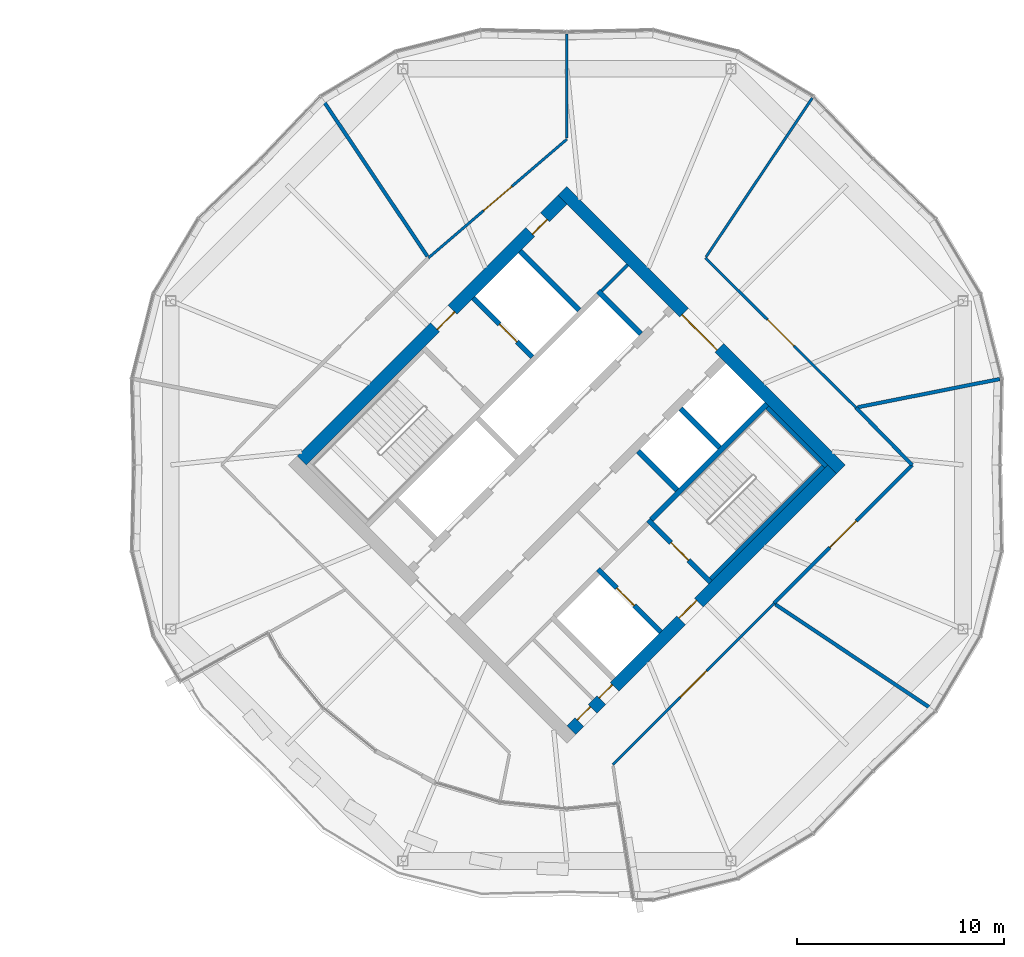
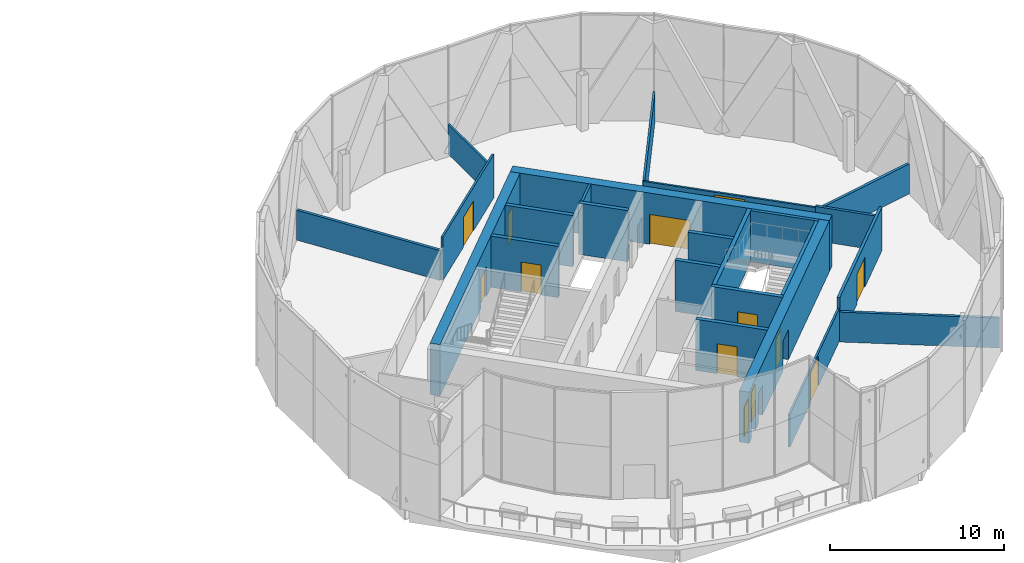
# One storey, part 21 of 26: 24 walls, 13 doors, 13 openings.
"""IFC4 building model written with IfcOpenShell, lengths in metres."""

from ifc_helpers import new_model, si_unit, direction, frame, frame_2d, origin, place, context, subcontext, project, spatial, rectangle, extrude, material, layer, layer_set, type_object, element, fill, save


model = new_model("IFC4")

# Units and contexts
model_context = context("Model", 3, precision=1e-05, world=origin(), true_north=direction((0.0, 1.0)))
body_context = subcontext(model_context, "Body", "Model", "MODEL_VIEW")
ifc_project = project(units=[si_unit("LENGTHUNIT", "METRE"), si_unit("AREAUNIT", "SQUARE_METRE"), si_unit("VOLUMEUNIT", "CUBIC_METRE"), si_unit("PLANEANGLEUNIT", "RADIAN"), si_unit("MASSUNIT", "GRAM", prefix="KILO")], contexts=[model_context])

# Site, building, storey
site_placement = place(None, origin())
site = spatial("IfcSite", under=ifc_project, at=site_placement, CompositionType="ELEMENT")
building_placement = place(site_placement, origin())
building = spatial("IfcBuilding", under=site, at=building_placement, Name="Ogive Gate Towers", CompositionType="ELEMENT")
storey_placement = place(building_placement, frame((0.0, 0.0, 208.5)))
storey = spatial("IfcBuildingStorey", under=building, at=storey_placement, Name="L50", CompositionType="ELEMENT", Elevation=208.5)

# Walls
ifc_material_1 = material(Name="Gypsum board acoustic partition")
ifc_layer_1 = layer(ifc_material_1, 0.175048828125)
ifc_layer_set_1 = layer_set([ifc_layer_1], Name="Acoustic partition 175")
wall_type_1 = type_object("IfcWallType", Name="Acoustic partition 175", PredefinedType="PARTITIONING", material=ifc_layer_set_1)
wall_1_placement = place(storey_placement, frame((56.891845703125, 4.147216796875, 0.0), z_axis=(0.0, 0.0, 1.0), x_axis=(-0.980860372201, -0.194712429613, 0.0)))
element("IfcWall", 1, at=wall_1_placement, inside=storey, type_object=wall_type_1, Name="Partition T2-L50-001", PredefinedType="PARTITIONING", context=body_context, shape_type="SweptSolid", body=[
    extrude(rectangle(XDim=6.991455078125, YDim=0.175048828125, at=frame_2d((3.49560546875, 0.0))), origin(), (0.0, 0.0, 1.0), 2.10009765625),
])
for number, where, z_axis, x_axis, name in (
    (2, (24.15966796875, 17.705078125, 0.0), (0.0, 0.0, 1.0), (0.555907142005, -0.831244398157, 0.0), "Partition T2-L50-004"),
    (3, (53.705078125, -11.84033203125, 0.0), (0.0, 0.0, 1.0), (-0.831244398157, 0.555907142005, 0.0), "Partition T2-L50-009"),
):
    element("IfcWall", number, at=place(storey_placement, frame(where, z_axis=z_axis, x_axis=x_axis)), inside=storey, type_object=wall_type_1, Name=name, PredefinedType="PARTITIONING", context=body_context, shape_type="SweptSolid", body=[
        extrude(rectangle(XDim=9.19140625, YDim=0.175048828125, at=frame_2d((4.595703125, 0.0))), origin(), (0.0, 0.0, 1.0), 2.10009765625),
    ])

# Wall, opening, door
wall_2_placement = place(storey_placement, frame((52.659423828125, 0.0, 0.0), z_axis=(0.0, 0.0, 1.0), x_axis=(-0.70631749194, -0.707895190391, 0.0)))
wall_2 = element("IfcWall", 4, at=wall_2_placement, inside=storey, type_object=wall_type_1, Name="Partition T2-L50-016", PredefinedType="PARTITIONING", context=body_context, shape_type="SweptSolid", body=[
    extrude(rectangle(XDim=9.439453125, YDim=0.175048828125, at=frame_2d((4.7197265625, 0.0))), origin(), (0.0, 0.0, 1.0), 3.050048828125),
])
opening_1_placement = place(wall_2_placement, frame((3.820068359375, 0.0, 0.0)))
opening_1 = element("IfcOpeningElement", 5, at=opening_1_placement, cuts=wall_2, Name="Opening T2-L50-D06", PredefinedType="OPENING", context=body_context, shape_type="SweptSolid", body=[
    extrude(rectangle(XDim=1.800048828125, YDim=2.10009765625, at=frame_2d((0.89990234375, 1.050048828125))), frame((0.0, 0.09765625, 0.0), z_axis=(0.0, -1.0, 0.0), x_axis=(1.0, 0.0, 0.0)), (0.0, 0.0, 1.0), 0.195068359375),
])
ifc_material_2 = material(Name="Timber door", Category="wood")
door_type_1 = type_object("IfcDoorType", Name="Door pair 1800", OperationType="NOTDEFINED", PredefinedType="DOOR", material=ifc_material_2)
door_1_placement = place(opening_1_placement, origin())
door_1 = element("IfcDoor", 6, at=door_1_placement, inside=storey, type_object=door_type_1, Name="Door T2-L50-D06", OperationType="DOUBLE_DOOR_DOUBLE_SWING", OverallHeight=2.10009765625, OverallWidth=1.800048828125, PredefinedType="DOOR", context=body_context, shape_type="SweptSolid", body=[
    extrude(rectangle(XDim=1.800048828125, YDim=2.10009765625, at=frame_2d((0.89990234375, 1.050048828125))), frame((0.0, 0.02490234375, 0.0), z_axis=(0.0, -1.0, 0.0), x_axis=(1.0, 0.0, 0.0)), (0.0, 0.0, 1.0), 0.050048828125),
])
fill(opening_1, door_1)

# Wall
wall_3_placement = place(storey_placement, frame((49.948486328125, 2.768798828125, 0.0), z_axis=(0.0, 0.0, 1.0), x_axis=(0.699601338328, -0.714533391389, 0.0)))
element("IfcWall", 7, at=wall_3_placement, inside=storey, type_object=wall_type_1, Name="Partition T2-L50-017", PredefinedType="PARTITIONING", context=body_context, shape_type="SweptSolid", body=[
    extrude(rectangle(XDim=3.875, YDim=0.175048828125, at=frame_2d((1.9375, 0.0))), origin(), (0.0, 0.0, 1.0), 2.39990234375),
])

# Wall, openings, doors
ifc_material_3 = material(Name="Concrete C60/75", Category="concrete")
ifc_layer_2 = layer(ifc_material_3, 0.60009765625)
ifc_layer_set_2 = layer_set([ifc_layer_2], Name="Core wall 600 mm")
wall_type_2 = type_object("IfcWallType", Name="Core wall 600 mm", PredefinedType="SHEAR", material=ifc_layer_set_2)
wall_4_placement = place(storey_placement, frame((36.212158203125, -12.798583984375, 0.0), z_axis=(0.0, 0.0, 1.0), x_axis=(0.707106781187, 0.707106781187, 0.0)))
wall_4 = element("IfcWall", 8, at=wall_4_placement, inside=storey, type_object=wall_type_2, Name="T2 L50 Core wall 600 mm", PredefinedType="SHEAR", context=body_context, shape_type="SweptSolid", body=[
    extrude(rectangle(XDim=17.7998046875, YDim=0.60009765625, at=frame_2d((8.89990234375, 0.0))), origin(), (0.0, 0.0, 1.0), 3.60009765625),
])
opening_2_placement = place(wall_4_placement, frame((7.5, 0.0, 0.0)))
opening_2 = element("IfcOpeningElement", 9, at=opening_2_placement, cuts=wall_4, Name="Opening KD-T2-L50-19", PredefinedType="OPENING", context=body_context, shape_type="SweptSolid", body=[
    extrude(rectangle(XDim=1.199951171875, YDim=2.10009765625, at=frame_2d((0.60009765625, 1.050048828125))), frame((0.0, 0.31005859375, 0.0), z_axis=(0.0, -1.0, 0.0), x_axis=(1.0, 0.0, 0.0)), (0.0, 0.0, 1.0), 0.6201171875),
])
opening_3_placement = place(wall_4_placement, frame((0.550048828125, 0.0, 0.0)))
opening_3 = element("IfcOpeningElement", 10, at=opening_3_placement, cuts=wall_4, Name="Opening KD-T2-L50-21", PredefinedType="OPENING", context=body_context, shape_type="SweptSolid", body=[
    extrude(rectangle(XDim=0.89990234375, YDim=2.10009765625, at=frame_2d((0.449951171875, 1.050048828125))), frame((0.0, 0.31005859375, 0.0), z_axis=(0.0, -1.0, 0.0), x_axis=(1.0, 0.0, 0.0)), (0.0, 0.0, 1.0), 0.6201171875),
])
opening_4_placement = place(wall_4_placement, frame((2.050048828125, 0.0, 0.0)))
opening_4 = element("IfcOpeningElement", 11, at=opening_4_placement, cuts=wall_4, Name="Opening KD-T2-L50-22", PredefinedType="OPENING", context=body_context, shape_type="SweptSolid", body=[
    extrude(rectangle(XDim=0.89990234375, YDim=2.10009765625, at=frame_2d((0.449951171875, 1.050048828125))), frame((0.0, 0.31005859375, 0.0), z_axis=(0.0, -1.0, 0.0), x_axis=(1.0, 0.0, 0.0)), (0.0, 0.0, 1.0), 0.6201171875),
])
door_type_2 = type_object("IfcDoorType", Name="Core WC door 900 x 2100", OperationType="NOTDEFINED", PredefinedType="DOOR", material=ifc_material_2)
door_2_placement = place(opening_3_placement, origin())
door_2 = element("IfcDoor", 12, at=door_2_placement, inside=storey, type_object=door_type_2, Name="T2 L50 Core door", OperationType="SINGLE_SWING_RIGHT", OverallHeight=2.10009765625, OverallWidth=0.89990234375, PredefinedType="DOOR", context=body_context, shape_type="SweptSolid", body=[
    extrude(rectangle(XDim=0.89990234375, YDim=2.10009765625, at=frame_2d((0.449951171875, 1.050048828125))), frame((0.0, 0.1748046875, 0.0), z_axis=(0.0, -1.0, 0.0), x_axis=(1.0, 0.0, 0.0)), (0.0, 0.0, 1.0), 0.050048828125),
])
fill(opening_3, door_2)
door_3_placement = place(opening_4_placement, origin())
door_3 = element("IfcDoor", 13, at=door_3_placement, inside=storey, type_object=door_type_2, Name="T2 L50 Core door", OperationType="SINGLE_SWING_LEFT", OverallHeight=2.10009765625, OverallWidth=0.89990234375, PredefinedType="DOOR", context=body_context, shape_type="SweptSolid", body=[
    extrude(rectangle(XDim=0.89990234375, YDim=2.10009765625, at=frame_2d((0.449951171875, 1.050048828125))), frame((0.0, 0.1748046875, 0.0), z_axis=(0.0, -1.0, 0.0), x_axis=(1.0, 0.0, 0.0)), (0.0, 0.0, 1.0), 0.050048828125),
])
fill(opening_4, door_3)
ifc_material_4 = material(Name="Steel fire door", Category="steel")
door_type_3 = type_object("IfcDoorType", Name="Core door FD60S 1200 x 2100", OperationType="NOTDEFINED", PredefinedType="DOOR", material=ifc_material_4)
door_4_placement = place(opening_2_placement, origin())
door_4 = element("IfcDoor", 14, at=door_4_placement, inside=storey, type_object=door_type_3, Name="T2 L50 Fire-fighting lobby door", OperationType="SINGLE_SWING_RIGHT", OverallHeight=2.10009765625, OverallWidth=1.199951171875, PredefinedType="DOOR", context=body_context, shape_type="SweptSolid", body=[
    extrude(rectangle(XDim=1.199951171875, YDim=2.10009765625, at=frame_2d((0.60009765625, 1.050048828125))), frame((0.0, 0.1748046875, 0.0), z_axis=(0.0, -1.0, 0.0), x_axis=(1.0, 0.0, 0.0)), (0.0, 0.0, 1.0), 0.050048828125),
])
fill(opening_2, door_4)

wall_5_placement = place(storey_placement, frame((23.201416015625, 0.212158203125, 0.0), z_axis=(0.0, 0.0, 1.0), x_axis=(0.707106781187, 0.707106781187, 0.0)))
wall_5 = element("IfcWall", 15, at=wall_5_placement, inside=storey, type_object=wall_type_2, Name="T2 L50 Core wall 600 mm", PredefinedType="SHEAR", context=body_context, shape_type="SweptSolid", body=[
    extrude(rectangle(XDim=17.7998046875, YDim=0.60009765625, at=frame_2d((8.89990234375, 0.0))), origin(), (0.0, 0.0, 1.0), 3.60009765625),
])
opening_5_placement = place(wall_5_placement, frame((9.10009765625, 0.0, 0.0)))
opening_5 = element("IfcOpeningElement", 16, at=opening_5_placement, cuts=wall_5, Name="Opening KD-T2-L50-18", PredefinedType="OPENING", context=body_context, shape_type="SweptSolid", body=[
    extrude(rectangle(XDim=1.199951171875, YDim=2.10009765625, at=frame_2d((0.60009765625, 1.050048828125))), frame((0.0, 0.31005859375, 0.0), z_axis=(0.0, -1.0, 0.0), x_axis=(1.0, 0.0, 0.0)), (0.0, 0.0, 1.0), 0.6201171875),
])
opening_6_placement = place(wall_5_placement, frame((15.60009765625, 0.0, 0.0)))
opening_6 = element("IfcOpeningElement", 17, at=opening_6_placement, cuts=wall_5, Name="Opening KD-T2-L50-20", PredefinedType="OPENING", context=body_context, shape_type="SweptSolid", body=[
    extrude(rectangle(XDim=1.0, YDim=2.10009765625, at=frame_2d((0.5, 1.050048828125))), frame((0.0, 0.31005859375, 0.0), z_axis=(0.0, -1.0, 0.0), x_axis=(1.0, 0.0, 0.0)), (0.0, 0.0, 1.0), 0.6201171875),
])
door_type_4 = type_object("IfcDoorType", Name="Accessible WC door 1000 x 2100", OperationType="NOTDEFINED", PredefinedType="DOOR", material=ifc_material_2)
door_5_placement = place(opening_6_placement, origin())
door_5 = element("IfcDoor", 18, at=door_5_placement, inside=storey, type_object=door_type_4, Name="T2 L50 Core door", OperationType="SINGLE_SWING_LEFT", OverallHeight=2.10009765625, OverallWidth=1.0, PredefinedType="DOOR", context=body_context, shape_type="SweptSolid", body=[
    extrude(rectangle(XDim=1.0, YDim=2.10009765625, at=frame_2d((0.5, 1.050048828125))), frame((0.0, -0.125, 0.0), z_axis=(0.0, -1.0, 0.0), x_axis=(1.0, 0.0, 0.0)), (0.0, 0.0, 1.0), 0.050048828125),
])
fill(opening_6, door_5)
door_6_placement = place(opening_5_placement, origin())
door_6 = element("IfcDoor", 19, at=door_6_placement, inside=storey, type_object=door_type_3, Name="T2 L50 Fire-fighting lobby door", OperationType="SINGLE_SWING_LEFT", OverallHeight=2.10009765625, OverallWidth=1.199951171875, PredefinedType="DOOR", context=body_context, shape_type="SweptSolid", body=[
    extrude(rectangle(XDim=1.199951171875, YDim=2.10009765625, at=frame_2d((0.60009765625, 1.050048828125))), frame((0.0, -0.125, 0.0), z_axis=(0.0, -1.0, 0.0), x_axis=(1.0, 0.0, 0.0)), (0.0, 0.0, 1.0), 0.050048828125),
])
fill(opening_5, door_6)

# Wall, opening, door
wall_6_placement = place(storey_placement, frame((49.222900390625, -0.212158203125, 0.0), z_axis=(0.0, 0.0, 1.0), x_axis=(-0.707106781187, 0.707106781187, 0.0)))
wall_6 = element("IfcWall", 20, at=wall_6_placement, inside=storey, type_object=wall_type_2, Name="T2 L50 Core wall 600 mm", PredefinedType="SHEAR", context=body_context, shape_type="SweptSolid", body=[
    extrude(rectangle(XDim=19.0, YDim=0.60009765625, at=frame_2d((9.5, 0.0))), origin(), (0.0, 0.0, 1.0), 3.60009765625),
])
opening_7_placement = place(wall_6_placement, frame((8.300048828125, 0.0, 0.0)))
opening_7 = element("IfcOpeningElement", 21, at=opening_7_placement, cuts=wall_6, Name="Opening KD-T2-L50-02", PredefinedType="OPENING", context=body_context, shape_type="SweptSolid", body=[
    extrude(rectangle(XDim=2.39990234375, YDim=2.10009765625, at=frame_2d((1.199951171875, 1.050048828125))), frame((0.0, 0.31005859375, 0.0), z_axis=(0.0, -1.0, 0.0), x_axis=(1.0, 0.0, 0.0)), (0.0, 0.0, 1.0), 0.6201171875),
])
door_type_5 = type_object("IfcDoorType", Name="Core double door FD60S 2400 x 2100", OperationType="DOUBLE_DOOR_SINGLE_SWING", PredefinedType="DOOR", material=ifc_material_4)
door_7_placement = place(opening_7_placement, origin())
door_7 = element("IfcDoor", 22, at=door_7_placement, inside=storey, type_object=door_type_5, Name="T2 L50 Core door double", OperationType="DOUBLE_DOOR_SINGLE_SWING", OverallHeight=2.10009765625, OverallWidth=2.39990234375, PredefinedType="DOOR", context=body_context, shape_type="SweptSolid", body=[
    extrude(rectangle(XDim=2.39990234375, YDim=2.10009765625, at=frame_2d((1.199951171875, 1.050048828125))), frame((0.0, 0.1748046875, 0.0), z_axis=(0.0, -1.0, 0.0), x_axis=(1.0, 0.0, 0.0)), (0.0, 0.0, 1.0), 0.050048828125),
])
fill(opening_7, door_7)

# Walls
ifc_material_5 = material(Name="Gypsum board partition")
ifc_layer_3 = layer(ifc_material_5, 0.125)
ifc_layer_set_3 = layer_set([ifc_layer_3], Name="Partition 125")
wall_type_3 = type_object("IfcWallType", Name="Partition 125", PredefinedType="PARTITIONING", material=ifc_layer_set_3)
wall_7_placement = place(storey_placement, frame((47.84033203125, 17.705078125, 0.0), z_axis=(0.0, 0.0, 1.0), x_axis=(-0.555909978608, -0.83124250113, 0.0)))
element("IfcWall", 23, at=wall_7_placement, inside=storey, type_object=wall_type_3, Name="Partition T2-L50-002", PredefinedType="PARTITIONING", context=body_context, shape_type="SweptSolid", body=[
    extrude(rectangle(XDim=9.216552734375, YDim=0.125, at=frame_2d((4.6083984375, 0.0))), origin(), (0.0, 0.0, 1.0), 2.10009765625),
])
wall_8_placement = place(storey_placement, frame((36.0, 20.799072265625, 0.0), z_axis=(0.0, 0.0, 1.0), x_axis=(0.0, -1.0, 0.0)))
element("IfcWall", 24, at=wall_8_placement, inside=storey, type_object=wall_type_3, Name="Partition T2-L50-003", PredefinedType="PARTITIONING", context=body_context, shape_type="SweptSolid", body=[
    extrude(rectangle(XDim=5.0166015625, YDim=0.125, at=frame_2d((2.50830078125, 0.0))), origin(), (0.0, 0.0, 1.0), 2.10009765625),
])

# Wall, opening, door
wall_9_placement = place(storey_placement, frame((29.31787109375, 9.9921875, 0.0), z_axis=(0.0, 0.0, 1.0), x_axis=(0.75924289539, 0.650807364587, 0.0)))
wall_9 = element("IfcWall", 25, at=wall_9_placement, inside=storey, type_object=wall_type_3, Name="Partition T2-L50-014", PredefinedType="PARTITIONING", context=body_context, shape_type="SweptSolid", body=[
    extrude(rectangle(XDim=8.801025390625, YDim=0.125, at=frame_2d((4.400390625, 0.0))), origin(), (0.0, 0.0, 1.0), 3.050048828125),
])
opening_8_placement = place(wall_9_placement, frame((3.5009765625, 0.0, 0.0)))
opening_8 = element("IfcOpeningElement", 26, at=opening_8_placement, cuts=wall_9, Name="Opening T2-L50-D04", PredefinedType="OPENING", context=body_context, shape_type="SweptSolid", body=[
    extrude(rectangle(XDim=1.800048828125, YDim=2.10009765625, at=frame_2d((0.89990234375, 1.050048828125))), frame((0.0, 0.072509765625, 0.0), z_axis=(0.0, -1.0, 0.0), x_axis=(1.0, 0.0, 0.0)), (0.0, 0.0, 1.0), 0.14501953125),
])
door_8_placement = place(opening_8_placement, origin())
door_8 = element("IfcDoor", 27, at=door_8_placement, inside=storey, type_object=door_type_1, Name="Door T2-L50-D04", OperationType="DOUBLE_DOOR_DOUBLE_SWING", OverallHeight=2.10009765625, OverallWidth=1.800048828125, PredefinedType="DOOR", context=body_context, shape_type="SweptSolid", body=[
    extrude(rectangle(XDim=1.800048828125, YDim=2.10009765625, at=frame_2d((0.89990234375, 1.050048828125))), frame((0.0, 0.02490234375, 0.0), z_axis=(0.0, -1.0, 0.0), x_axis=(1.0, 0.0, 0.0)), (0.0, 0.0, 1.0), 0.050048828125),
])
fill(opening_8, door_8)

wall_10_placement = place(storey_placement, frame((42.68212890625, 9.9921875, 0.0), z_axis=(0.0, 0.0, 1.0), x_axis=(0.709200559125, -0.705006785029, 0.0)))
wall_10 = element("IfcWall", 28, at=wall_10_placement, inside=storey, type_object=wall_type_3, Name="Partition T2-L50-015", PredefinedType="PARTITIONING", context=body_context, shape_type="SweptSolid", body=[
    extrude(rectangle(XDim=10.245849609375, YDim=0.125, at=frame_2d((5.123046875, 0.0))), origin(), (0.0, 0.0, 1.0), 2.300048828125),
])
opening_9_placement = place(wall_10_placement, frame((4.222900390625, 0.0, 0.0)))
opening_9 = element("IfcOpeningElement", 29, at=opening_9_placement, cuts=wall_10, Name="Opening T2-L50-D05", PredefinedType="OPENING", context=body_context, shape_type="SweptSolid", body=[
    extrude(rectangle(XDim=1.800048828125, YDim=2.10009765625, at=frame_2d((0.89990234375, 1.050048828125))), frame((0.0, 0.072509765625, 0.0), z_axis=(0.0, -1.0, 0.0), x_axis=(1.0, 0.0, 0.0)), (0.0, 0.0, 1.0), 0.14501953125),
])
door_9_placement = place(opening_9_placement, origin())
door_9 = element("IfcDoor", 30, at=door_9_placement, inside=storey, type_object=door_type_1, Name="Door T2-L50-D05", OperationType="DOUBLE_DOOR_DOUBLE_SWING", OverallHeight=2.10009765625, OverallWidth=1.800048828125, PredefinedType="DOOR", context=body_context, shape_type="SweptSolid", body=[
    extrude(rectangle(XDim=1.800048828125, YDim=2.10009765625, at=frame_2d((0.89990234375, 1.050048828125))), frame((0.0, 0.02490234375, 0.0), z_axis=(0.0, -1.0, 0.0), x_axis=(1.0, 0.0, 0.0)), (0.0, 0.0, 1.0), 0.050048828125),
])
fill(opening_9, door_9)

wall_11_placement = place(storey_placement, frame((45.9921875, -6.68212890625, 0.0), z_axis=(0.0, 0.0, 1.0), x_axis=(-0.706485012559, -0.707728003564, 0.0)))
wall_11 = element("IfcWall", 31, at=wall_11_placement, inside=storey, type_object=wall_type_3, Name="Partition T2-L50-018", PredefinedType="PARTITIONING", context=body_context, shape_type="SweptSolid", body=[
    extrude(rectangle(XDim=10.999267578125, YDim=0.125, at=frame_2d((5.49951171875, 0.0))), origin(), (0.0, 0.0, 1.0), 2.300048828125),
])
opening_10_placement = place(wall_11_placement, frame((4.60009765625, 0.0, 0.0)))
opening_10 = element("IfcOpeningElement", 32, at=opening_10_placement, cuts=wall_11, Name="Opening T2-L50-D07", PredefinedType="OPENING", context=body_context, shape_type="SweptSolid", body=[
    extrude(rectangle(XDim=1.800048828125, YDim=2.10009765625, at=frame_2d((0.89990234375, 1.050048828125))), frame((0.0, 0.072509765625, 0.0), z_axis=(0.0, -1.0, 0.0), x_axis=(1.0, 0.0, 0.0)), (0.0, 0.0, 1.0), 0.14501953125),
])
door_10_placement = place(opening_10_placement, origin())
door_10 = element("IfcDoor", 33, at=door_10_placement, inside=storey, type_object=door_type_1, Name="Door T2-L50-D07", OperationType="DOUBLE_DOOR_DOUBLE_SWING", OverallHeight=2.10009765625, OverallWidth=1.800048828125, PredefinedType="DOOR", context=body_context, shape_type="SweptSolid", body=[
    extrude(rectangle(XDim=1.800048828125, YDim=2.10009765625, at=frame_2d((0.89990234375, 1.050048828125))), frame((0.0, 0.02490234375, 0.0), z_axis=(0.0, -1.0, 0.0), x_axis=(1.0, 0.0, 0.0)), (0.0, 0.0, 1.0), 0.050048828125),
])
fill(opening_10, door_10)

# Walls
ifc_layer_4 = layer(ifc_material_5, 0.14990234375)
ifc_layer_set_4 = layer_set([ifc_layer_4], Name="Room partition 150 mm")
wall_type_4 = type_object("IfcWallType", Name="Room partition 150 mm", PredefinedType="PARTITIONING", material=ifc_layer_set_4)
wall_12_placement = place(storey_placement, frame((37.679443359375, 8.39697265625, 0.0), z_axis=(0.0, 0.0, 1.0), x_axis=(0.707106781187, 0.707106781187, 0.0)))
element("IfcWall", 34, at=wall_12_placement, inside=storey, type_object=wall_type_4, Name="T2 L50 Room partition 150 mm", PredefinedType="PARTITIONING", context=body_context, shape_type="SweptSolid", body=[
    extrude(rectangle(XDim=1.77490234375, YDim=0.14990234375, at=frame_2d((0.887451171875, 0.0))), origin(), (0.0, 0.0, 1.0), 3.60009765625),
])
ifc_layer_5 = layer(ifc_material_3, 0.25)
ifc_layer_set_5 = layer_set([ifc_layer_5], Name="Shaft wall 250 mm")
wall_type_5 = type_object("IfcWallType", Name="Shaft wall 250 mm", PredefinedType="SHEAR", material=ifc_layer_set_5)
wall_13_placement = place(storey_placement, frame((40.08349609375, -2.634033203125, 0.0), z_axis=(0.0, 0.0, 1.0), x_axis=(0.707106781187, 0.707106781187, 0.0)))
element("IfcWall", 35, at=wall_13_placement, inside=storey, type_object=wall_type_5, Name="T2 L50 Shaft wall 250 mm", PredefinedType="SHEAR", context=body_context, shape_type="SweptSolid", body=[
    extrude(rectangle(XDim=7.875244140625, YDim=0.25, at=frame_2d((3.9375, 0.0))), origin(), (0.0, 0.0, 1.0), 3.60009765625),
])

# Wall, opening, door
wall_14_placement = place(storey_placement, frame((40.525390625, -8.06103515625, 0.0), z_axis=(0.0, 0.0, 1.0), x_axis=(-0.707078225638, 0.707135335582, 0.0)))
wall_14 = element("IfcWall", 36, at=wall_14_placement, inside=storey, type_object=wall_type_5, Name="T2 L50 Shaft wall 250 mm", PredefinedType="SHEAR", context=body_context, shape_type="SweptSolid", body=[
    extrude(rectangle(XDim=4.27490234375, YDim=0.25, at=frame_2d((2.137451171875, 0.0))), origin(), (0.0, 0.0, 1.0), 3.60009765625),
])
opening_11_placement = place(wall_14_placement, frame((1.800048828125, 0.0, 0.0)))
opening_11 = element("IfcOpeningElement", 37, at=opening_11_placement, cuts=wall_14, Name="Opening LD-T2-L50-13", PredefinedType="OPENING", context=body_context, shape_type="SweptSolid", body=[
    extrude(rectangle(XDim=1.199951171875, YDim=2.10009765625, at=frame_2d((0.60009765625, 1.050048828125))), frame((0.0, 0.135009765625, 0.0), z_axis=(0.0, -1.0, 0.0), x_axis=(1.0, 0.0, 0.0)), (0.0, 0.0, 1.0), 0.27001953125),
])
ifc_material_6 = material(Name="Stainless steel landing door", Category="steel")
door_type_6 = type_object("IfcDoorType", Name="Landing door 1200 x 2100", OperationType="SLIDING_TO_LEFT", PredefinedType="DOOR", material=ifc_material_6)
door_11_placement = place(opening_11_placement, origin())
door_11 = element("IfcDoor", 38, at=door_11_placement, inside=storey, type_object=door_type_6, Name="T2 L50 Lift landing door FF2", OperationType="SLIDING_TO_LEFT", OverallHeight=2.10009765625, OverallWidth=1.199951171875, PredefinedType="DOOR", context=body_context, shape_type="SweptSolid", body=[
    extrude(rectangle(XDim=1.199951171875, YDim=2.10009765625, at=frame_2d((0.60009765625, 1.050048828125))), frame((0.0, 0.02490234375, 0.0), z_axis=(0.0, -1.0, 0.0), x_axis=(1.0, 0.0, 0.0)), (0.0, 0.0, 1.0), 0.050048828125),
])
fill(opening_11, door_11)

wall_15_placement = place(storey_placement, frame((42.9296875, -5.656982421875, 0.0), z_axis=(0.0, 0.0, 1.0), x_axis=(-0.707106781187, 0.707106781187, 0.0)))
wall_15 = element("IfcWall", 39, at=wall_15_placement, inside=storey, type_object=wall_type_5, Name="T2 L50 Shaft wall 250 mm", PredefinedType="SHEAR", context=body_context, shape_type="SweptSolid", body=[
    extrude(rectangle(XDim=4.250244140625, YDim=0.25, at=frame_2d((2.125, 0.0))), origin(), (0.0, 0.0, 1.0), 3.60009765625),
])
opening_12_placement = place(wall_15_placement, frame((1.5, 0.0, 0.0)))
opening_12 = element("IfcOpeningElement", 40, at=opening_12_placement, cuts=wall_15, Name="Opening KD-T2-L50-17", PredefinedType="OPENING", context=body_context, shape_type="SweptSolid", body=[
    extrude(rectangle(XDim=1.199951171875, YDim=2.10009765625, at=frame_2d((0.60009765625, 1.050048828125))), frame((0.0, 0.135009765625, 0.0), z_axis=(0.0, -1.0, 0.0), x_axis=(1.0, 0.0, 0.0)), (0.0, 0.0, 1.0), 0.27001953125),
])
door_12_placement = place(opening_12_placement, origin())
door_12 = element("IfcDoor", 41, at=door_12_placement, inside=storey, type_object=door_type_3, Name="T2 L50 Stair door", OperationType="SINGLE_SWING_RIGHT", OverallHeight=2.10009765625, OverallWidth=1.199951171875, PredefinedType="DOOR", context=body_context, shape_type="SweptSolid", body=[
    extrude(rectangle(XDim=1.199951171875, YDim=2.10009765625, at=frame_2d((0.60009765625, 1.050048828125))), frame((0.0, 0.02490234375, 0.0), z_axis=(0.0, -1.0, 0.0), x_axis=(1.0, 0.0, 0.0)), (0.0, 0.0, 1.0), 0.050048828125),
])
fill(opening_12, door_12)

wall_16_placement = place(storey_placement, frame((34.320556640625, 5.21484375, 0.0), z_axis=(0.0, 0.0, 1.0), x_axis=(-0.70707645213, 0.707137108942, 0.0)))
wall_16 = element("IfcWall", 42, at=wall_16_placement, inside=storey, type_object=wall_type_5, Name="T2 L50 Shaft wall 250 mm", PredefinedType="SHEAR", context=body_context, shape_type="SweptSolid", body=[
    extrude(rectangle(XDim=4.02490234375, YDim=0.25, at=frame_2d((2.012451171875, 0.0))), origin(), (0.0, 0.0, 1.0), 3.60009765625),
])
opening_13_placement = place(wall_16_placement, frame((1.02490234375, 0.0, 0.0)))
opening_13 = element("IfcOpeningElement", 43, at=opening_13_placement, cuts=wall_16, Name="Opening LD-T2-L50-12", PredefinedType="OPENING", context=body_context, shape_type="SweptSolid", body=[
    extrude(rectangle(XDim=1.199951171875, YDim=2.10009765625, at=frame_2d((0.60009765625, 1.050048828125))), frame((0.0, 0.135009765625, 0.0), z_axis=(0.0, -1.0, 0.0), x_axis=(1.0, 0.0, 0.0)), (0.0, 0.0, 1.0), 0.27001953125),
])
door_13_placement = place(opening_13_placement, origin())
door_13 = element("IfcDoor", 44, at=door_13_placement, inside=storey, type_object=door_type_6, Name="T2 L50 Lift landing door FF1", OperationType="SLIDING_TO_LEFT", OverallHeight=2.10009765625, OverallWidth=1.199951171875, PredefinedType="DOOR", context=body_context, shape_type="SweptSolid", body=[
    extrude(rectangle(XDim=1.199951171875, YDim=2.10009765625, at=frame_2d((0.60009765625, 1.050048828125))), frame((0.0, 0.02490234375, 0.0), z_axis=(0.0, -1.0, 0.0), x_axis=(1.0, 0.0, 0.0)), (0.0, 0.0, 1.0), 0.050048828125),
])
fill(opening_13, door_13)

# Walls
wall_17_placement = place(storey_placement, frame((41.321044921875, -1.2197265625, 0.0), z_axis=(0.0, 0.0, 1.0), x_axis=(-0.707106781187, 0.707106781187, 0.0)))
element("IfcWall", 45, at=wall_17_placement, inside=storey, type_object=wall_type_5, Name="T2 L50 Shaft wall 250 mm", PredefinedType="SHEAR", context=body_context, shape_type="SweptSolid", body=[
    extrude(rectangle(XDim=2.675048828125, YDim=0.25, at=frame_2d((1.33740234375, 0.0))), origin(), (0.0, 0.0, 1.0), 3.60009765625),
])
wall_18_placement = place(storey_placement, frame((36.58349609375, 7.477783203125, 0.0), z_axis=(0.0, 0.0, 1.0), x_axis=(-0.707137108942, 0.70707645213, 0.0)))
element("IfcWall", 46, at=wall_18_placement, inside=storey, type_object=wall_type_5, Name="T2 L50 Shaft wall 250 mm", PredefinedType="SHEAR", context=body_context, shape_type="SweptSolid", body=[
    extrude(rectangle(XDim=4.02490234375, YDim=0.25, at=frame_2d((2.012451171875, 0.0))), origin(), (0.0, 0.0, 1.0), 3.60009765625),
])
wall_19_placement = place(storey_placement, frame((43.37158203125, 0.830810546875, 0.0), z_axis=(0.0, 0.0, 1.0), x_axis=(-0.707106781187, 0.707106781187, 0.0)))
element("IfcWall", 47, at=wall_19_placement, inside=storey, type_object=wall_type_5, Name="T2 L50 Shaft wall 250 mm", PredefinedType="SHEAR", context=body_context, shape_type="SweptSolid", body=[
    extrude(rectangle(XDim=2.675048828125, YDim=0.25, at=frame_2d((1.33740234375, 0.0))), origin(), (0.0, 0.0, 1.0), 3.60009765625),
])
wall_20_placement = place(storey_placement, frame((39.57080078125, 6.32861328125, 0.0), z_axis=(0.0, 0.0, 1.0), x_axis=(-0.707065045505, 0.707148514405, 0.0)))
element("IfcWall", 48, at=wall_20_placement, inside=storey, type_object=wall_type_5, Name="T2 L50 Shaft wall 250 mm", PredefinedType="SHEAR", context=body_context, shape_type="SweptSolid", body=[
    extrude(rectangle(XDim=2.925048828125, YDim=0.25, at=frame_2d((1.46240234375, 0.0))), origin(), (0.0, 0.0, 1.0), 3.60009765625),
])
ifc_layer_6 = layer(ifc_material_3, 0.199951171875)
ifc_layer_set_6 = layer_set([ifc_layer_6], Name="Stair wall 200 mm")
wall_type_6 = type_object("IfcWallType", Name="Stair wall 200 mm", PredefinedType="SHEAR", material=ifc_layer_set_6)
wall_21_placement = place(storey_placement, frame((42.947265625, -5.497802734375, 0.0), z_axis=(0.0, 0.0, 1.0), x_axis=(0.707122685701, 0.707090876314, 0.0)))
element("IfcWall", 49, at=wall_21_placement, inside=storey, type_object=wall_type_6, Name="T2 L50 Stair wall 200 mm", PredefinedType="SHEAR", context=body_context, shape_type="SweptSolid", body=[
    extrude(rectangle(XDim=7.675048828125, YDim=0.199951171875, at=frame_2d((3.83740234375, 0.0))), origin(), (0.0, 0.0, 1.0), 3.60009765625),
])
wall_22_placement = place(storey_placement, frame((48.515869140625, -0.07080078125, 0.0), z_axis=(0.0, 0.0, 1.0), x_axis=(-0.707106781187, 0.707106781187, 0.0)))
element("IfcWall", 50, at=wall_22_placement, inside=storey, type_object=wall_type_6, Name="T2 L50 Stair wall 200 mm", PredefinedType="SHEAR", context=body_context, shape_type="SweptSolid", body=[
    extrude(rectangle(XDim=4.025146484375, YDim=0.199951171875, at=frame_2d((2.0126953125, 0.0))), origin(), (0.0, 0.0, 1.0), 3.60009765625),
])

save(model, "model.ifc")
